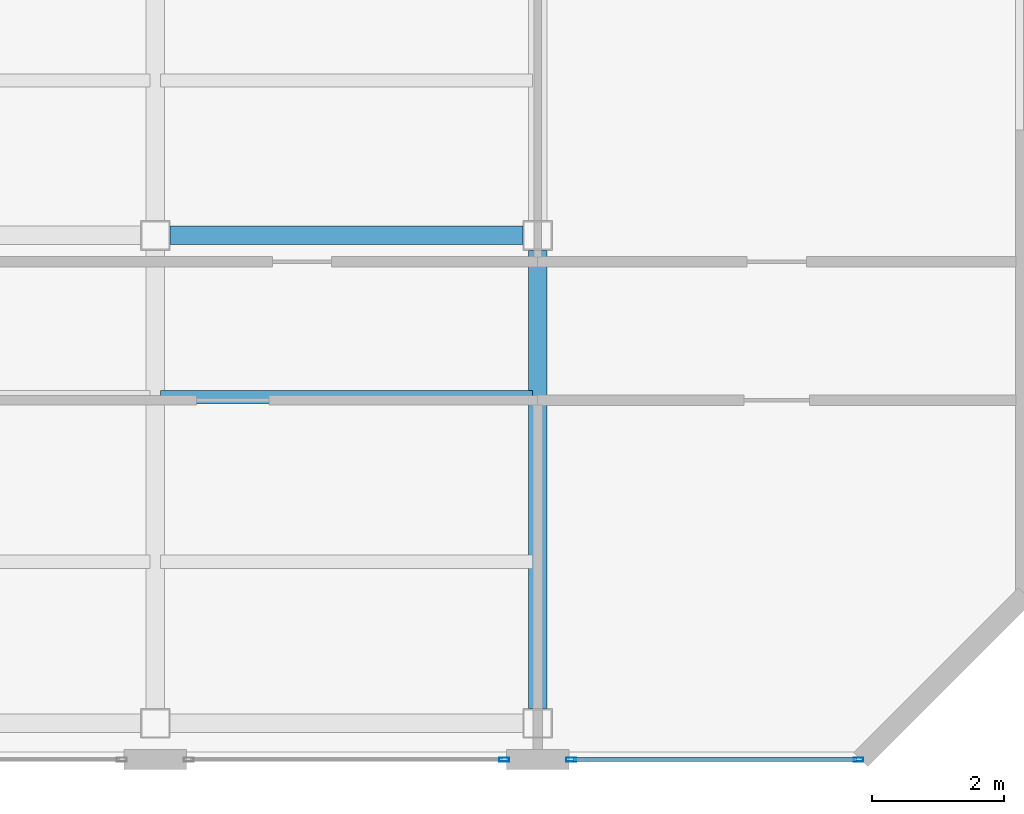
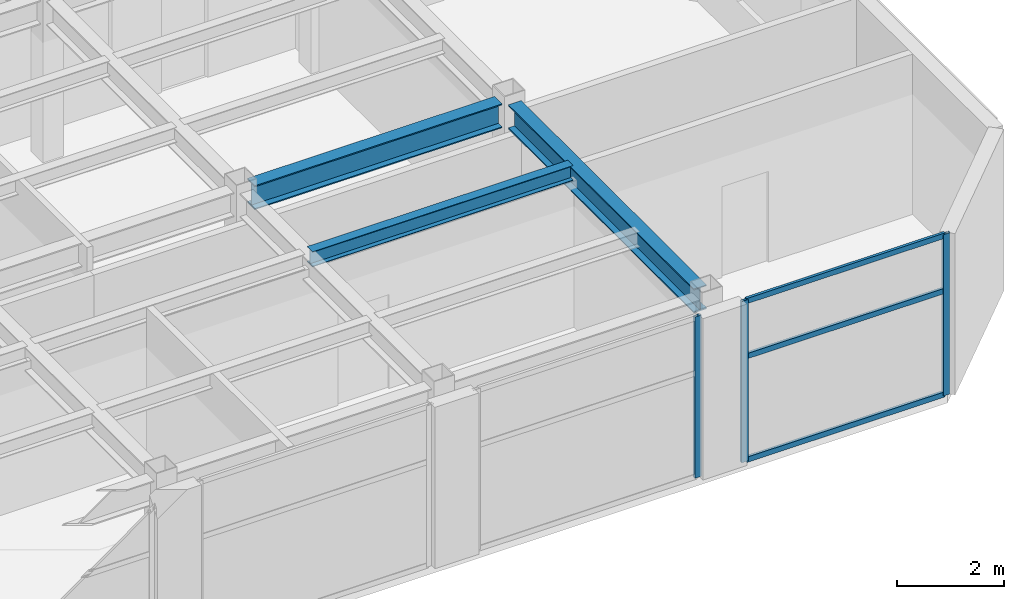
# One storey, part 7 of 17: 6 members, 3 beams, 2 elements without a shape of their own.
"""IFC4 building model written with IfcOpenShell, lengths in metres."""

from ifc_helpers import new_model, si_unit, direction, frame, origin, origin_2d, place, context, subcontext, project, spatial, hollow_rectangle, i_section, extrude, material, layer, layer_set, material_profile, profile_set, type_object, element, aggregate, save


model = new_model("IFC4")

# Units and contexts
model_context = context("Model", 3, precision=1e-05, world=origin(), true_north=direction((0.0, 1.0)))
body_context = subcontext(model_context, "Body", "Model", "MODEL_VIEW")
ifc_project = project(units=[si_unit("LENGTHUNIT", "METRE"), si_unit("AREAUNIT", "SQUARE_METRE"), si_unit("VOLUMEUNIT", "CUBIC_METRE"), si_unit("PLANEANGLEUNIT", "RADIAN"), si_unit("MASSUNIT", "GRAM", prefix="KILO")], contexts=[model_context])

# Site, building, storey
site_placement = place(None, origin())
site = spatial("IfcSite", under=ifc_project, at=site_placement, CompositionType="ELEMENT")
building_placement = place(site_placement, origin())
building = spatial("IfcBuilding", under=site, at=building_placement, Name="Mawjaban Terraces University", CompositionType="ELEMENT")
storey_placement = place(building_placement, frame((0.0, 0.0, 183.60009765625)))
storey = spatial("IfcBuildingStorey", under=building, at=storey_placement, Name="L44", CompositionType="ELEMENT", Elevation=183.60009765625)

# Beams
ifc_material_1 = material(Name="Steel ASTM A572 Grade 50", Category="steel")
ifc_material_profile_1 = material_profile(ifc_material_1, i_section(OverallWidth=0.281005859375, OverallDepth=0.551025390625, WebThickness=0.01513671875, FlangeThickness=0.02587890625, at=origin_2d()), Name="W530X182")
ifc_profile_set_1 = profile_set([ifc_material_profile_1], Name="Steel ASTM A572 Grade 50")
beam_type_1 = type_object("IfcBeamType", Name="Beam_B_W530X182", PredefinedType="BEAM", material=ifc_profile_set_1)
beam_1_placement = place(storey_placement, frame((52.22509765625, 7.949951171875, 3.413818359375), z_axis=(1.0, 0.0, 0.0), x_axis=(0.0, 1.0, 0.0)))
element("IfcBeam", 1, at=beam_1_placement, inside=storey, type_object=beam_type_1, Name="L44 Beam BM-L44-EW-06", PredefinedType="BEAM", context=body_context, shape_type="SweptSolid", body=[
    extrude(i_section(OverallWidth=0.281005859375, OverallDepth=0.551025390625, WebThickness=0.01513671875, FlangeThickness=0.02587890625, at=origin_2d()), origin(), (0.0, 0.0, 1.0), 5.349853515625),
])
beam_2_placement = place(storey_placement, frame((57.800048828125, 0.77490234375, 3.413818359375), z_axis=(0.0, 1.0, 0.0), x_axis=(-1.0, 0.0, 0.0)))
element("IfcBeam", 2, at=beam_2_placement, inside=storey, type_object=beam_type_1, Name="L44 Beam BM-L44-NS-14", PredefinedType="BEAM", context=body_context, shape_type="SweptSolid", body=[
    extrude(i_section(OverallWidth=0.281005859375, OverallDepth=0.551025390625, WebThickness=0.01513671875, FlangeThickness=0.02587890625, at=origin_2d()), origin(), (0.0, 0.0, 1.0), 6.9501953125),
])
ifc_material_profile_2 = material_profile(ifc_material_1, i_section(OverallWidth=0.202880859375, OverallDepth=0.346923828125, WebThickness=0.0078125, FlangeThickness=0.013427734375, at=origin_2d()), Name="W360X64")
ifc_profile_set_2 = profile_set([ifc_material_profile_2], Name="Steel ASTM A572 Grade 50")
beam_type_2 = type_object("IfcBeamType", Name="Beam_J_W360X64", PredefinedType="JOIST", material=ifc_profile_set_2)
beam_3_placement = place(storey_placement, frame((52.080078125, 5.5, 3.516845703125), z_axis=(1.0, 0.0, 0.0), x_axis=(0.0, 1.0, 0.0)))
element("IfcBeam", 3, at=beam_3_placement, inside=storey, type_object=beam_type_2, Name="L44 Composite Joist JST-L44-06", PredefinedType="JOIST", context=body_context, shape_type="SweptSolid", body=[
    extrude(i_section(OverallWidth=0.202880859375, OverallDepth=0.346923828125, WebThickness=0.0078125, FlangeThickness=0.013427734375, at=origin_2d()), origin(), (0.0, 0.0, 1.0), 5.639892578125),
])

# Curtain wall, member
ifc_material_2 = material(Name="Anodised aluminium 6063-T6 and solar-control low-E glass", Category="aluminium")
ifc_layer = layer(ifc_material_2, 0.159912109375)
ifc_layer_set = layer_set([ifc_layer], Name="Anodised aluminium 6063-T6 and solar-control low-E glass")
curtain_wall_type = type_object("IfcCurtainWallType", Name="CWSystem_03_NorthWing", PredefinedType="NOTDEFINED", material=ifc_layer_set)
curtain_wall_1_placement = place(storey_placement, origin())
curtain_wall_1 = element("IfcCurtainWall", 4, at=curtain_wall_1_placement, inside=storey, type_object=curtain_wall_type, Name="L44 Curtain Wall CW-03 Run 1.4", PredefinedType="NOTDEFINED")
ifc_material_3 = material(Name="Anodised aluminium 6063-T6", Category="aluminium")
ifc_material_profile_3 = material_profile(ifc_material_3, hollow_rectangle(XDim=0.06005859375, YDim=0.14990234375, WallThickness=0.00390625, at=origin_2d()), Name="ALU150X60X4")
ifc_profile_set_3 = profile_set([ifc_material_profile_3], Name="Anodised aluminium 6063-T6")
member_type_1 = type_object("IfcMemberType", Name="Mullion_CW-03", PredefinedType="MULLION", material=ifc_profile_set_3)
member_1_placement = place(storey_placement, frame((57.29248046875, 0.0, 0.0), z_axis=(0.0, 0.0, 1.0), x_axis=(0.0, 1.0, 0.0)))
member_1 = element("IfcMember", 5, at=member_1_placement, type_object=member_type_1, Name="CW-03 mullion 2", PredefinedType="MULLION", context=body_context, shape_type="SweptSolid", body=[
    extrude(hollow_rectangle(XDim=0.06005859375, YDim=0.14990234375, WallThickness=0.00390625, at=origin_2d()), origin(), (0.0, 0.0, 1.0), 3.68994140625),
])
aggregate(curtain_wall_1, [member_1])

# Curtain wall, members
curtain_wall_2_placement = place(storey_placement, origin())
curtain_wall_2 = element("IfcCurtainWall", 6, at=curtain_wall_2_placement, inside=storey, type_object=curtain_wall_type, Name="L44 Curtain Wall CW-03 Run 1.5", PredefinedType="NOTDEFINED")
member_2_placement = place(storey_placement, frame((58.3076171875, 0.0, 0.0), z_axis=(0.0, 0.0, 1.0), x_axis=(0.0, 1.0, 0.0)))
member_2 = element("IfcMember", 7, at=member_2_placement, type_object=member_type_1, Name="CW-03 mullion 1", PredefinedType="MULLION", context=body_context, shape_type="SweptSolid", body=[
    extrude(hollow_rectangle(XDim=0.06005859375, YDim=0.14990234375, WallThickness=0.00390625, at=origin_2d()), origin(), (0.0, 0.0, 1.0), 3.68994140625),
])
member_3_placement = place(storey_placement, frame((62.66748046875, 0.0, 0.0), z_axis=(0.0, 0.0, 1.0), x_axis=(0.0, 1.0, 0.0)))
member_3 = element("IfcMember", 8, at=member_3_placement, type_object=member_type_1, Name="CW-03 mullion 2", PredefinedType="MULLION", context=body_context, shape_type="SweptSolid", body=[
    extrude(hollow_rectangle(XDim=0.06005859375, YDim=0.14990234375, WallThickness=0.00390625, at=origin_2d()), origin(), (0.0, 0.0, 1.0), 3.68994140625),
])
ifc_material_profile_4 = material_profile(ifc_material_3, hollow_rectangle(XDim=0.06005859375, YDim=0.1201171875, WallThickness=0.00341796875, at=origin_2d()), Name="ALU120X60X3.5")
ifc_profile_set_4 = profile_set([ifc_material_profile_4], Name="Anodised aluminium 6063-T6")
member_type_2 = type_object("IfcMemberType", Name="Transom_CW-03", PredefinedType="NOTDEFINED", material=ifc_profile_set_4)
member_4_placement = place(storey_placement, frame((58.340087890625, 0.0, 0.02978515625), z_axis=(1.0, 0.0, 0.0), x_axis=(0.0, 1.0, 0.0)))
member_4 = element("IfcMember", 9, at=member_4_placement, type_object=member_type_2, Name="CW-03 transom 1.1", ObjectType="TRANSOM", PredefinedType="USERDEFINED", context=body_context, shape_type="SweptSolid", body=[
    extrude(hollow_rectangle(XDim=0.06005859375, YDim=0.1201171875, WallThickness=0.00341796875, at=origin_2d()), origin(), (0.0, 0.0, 1.0), 4.294921875),
])
member_5_placement = place(storey_placement, frame((58.340087890625, 0.0, 2.39794921875), z_axis=(1.0, 0.0, 0.0), x_axis=(0.0, 1.0, 0.0)))
member_5 = element("IfcMember", 10, at=member_5_placement, type_object=member_type_2, Name="CW-03 transom 1.2", ObjectType="TRANSOM", PredefinedType="USERDEFINED", context=body_context, shape_type="SweptSolid", body=[
    extrude(hollow_rectangle(XDim=0.06005859375, YDim=0.1201171875, WallThickness=0.00341796875, at=origin_2d()), origin(), (0.0, 0.0, 1.0), 4.294921875),
])
member_6_placement = place(storey_placement, frame((58.340087890625, 0.0, 3.659912109375), z_axis=(1.0, 0.0, 0.0), x_axis=(0.0, 1.0, 0.0)))
member_6 = element("IfcMember", 11, at=member_6_placement, type_object=member_type_2, Name="CW-03 transom 1.3", ObjectType="TRANSOM", PredefinedType="USERDEFINED", context=body_context, shape_type="SweptSolid", body=[
    extrude(hollow_rectangle(XDim=0.06005859375, YDim=0.1201171875, WallThickness=0.00341796875, at=origin_2d()), origin(), (0.0, 0.0, 1.0), 4.294921875),
])
aggregate(curtain_wall_2, [member_2, member_3, member_4, member_5, member_6])

save(model, "model.ifc")
